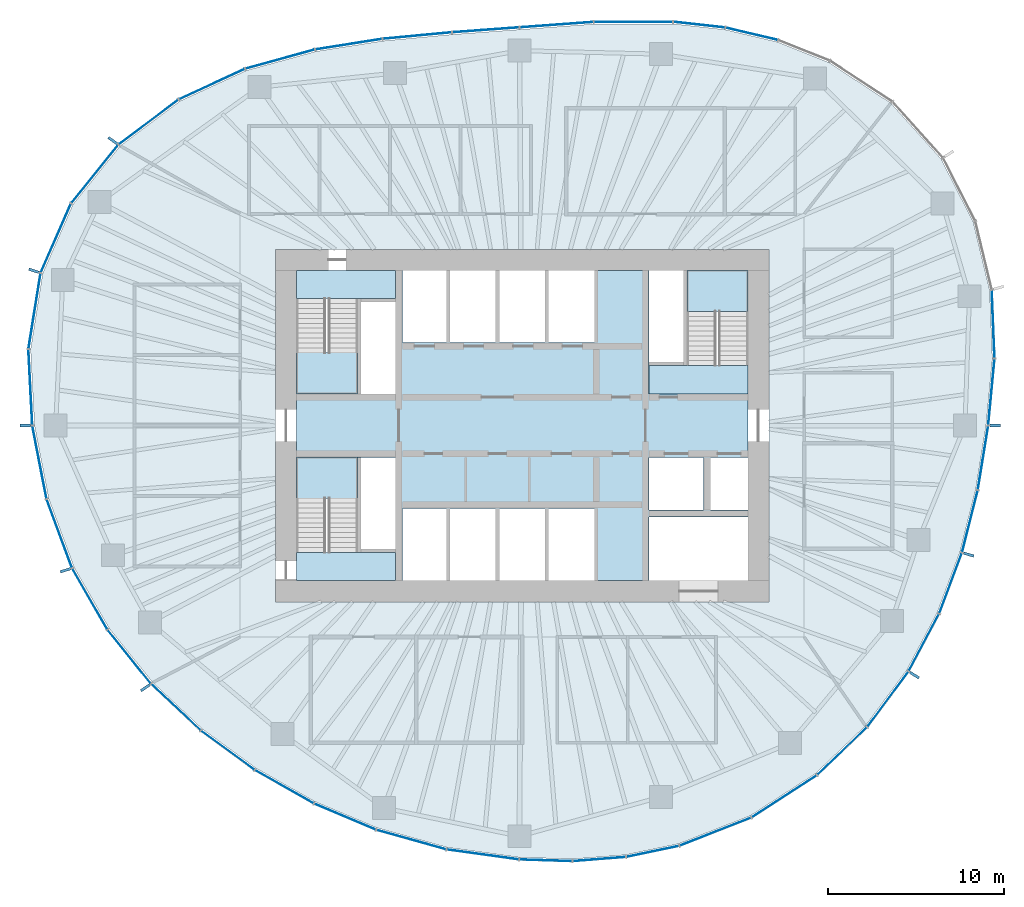
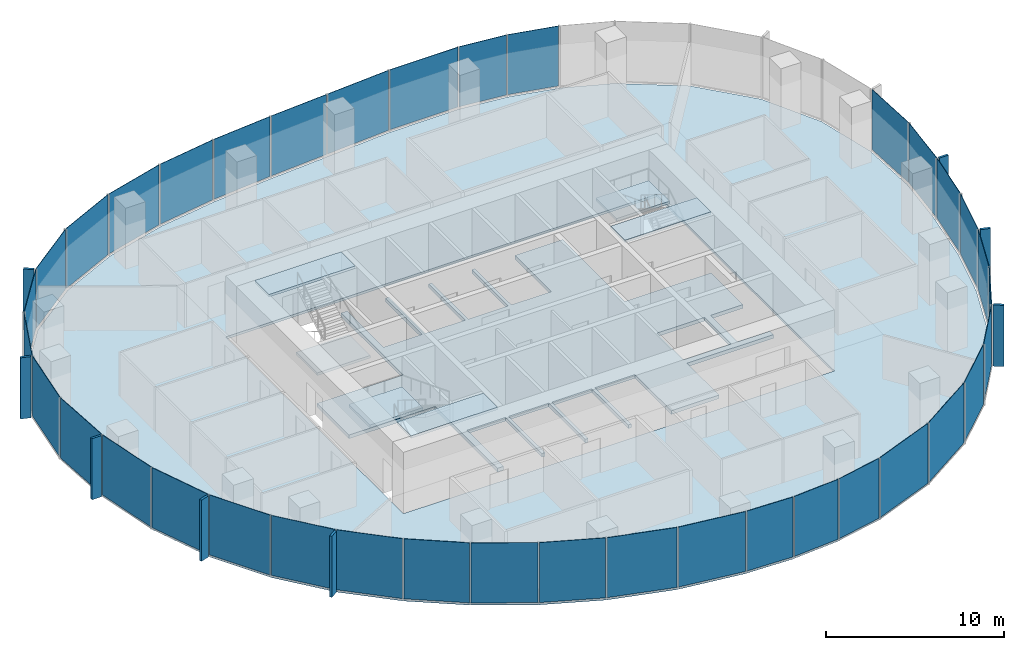
# One storey, part 7 of 12: 45 plates, 8 slabs, 21 elements without a shape of their own.
"""IFC4 building model written with IfcOpenShell, lengths in metres."""

from ifc_helpers import new_model, si_unit, direction, frame, origin, origin_2d, place, context, subcontext, project, spatial, polyline, rectangle, outline, extrude, material, layer, layer_set, type_object, element, aggregate, save


model = new_model("IFC4")

# Units and contexts
model_context = context("Model", 3, precision=1e-05, world=origin(), true_north=direction((0.0, 1.0)))
body_context = subcontext(model_context, "Body", "Model", "MODEL_VIEW")
ifc_project = project(units=[si_unit("LENGTHUNIT", "METRE"), si_unit("AREAUNIT", "SQUARE_METRE"), si_unit("VOLUMEUNIT", "CUBIC_METRE"), si_unit("PLANEANGLEUNIT", "RADIAN"), si_unit("MASSUNIT", "GRAM", prefix="KILO")], contexts=[model_context])

# Site, building, storey
site_placement = place(None, origin())
site = spatial("IfcSite", under=ifc_project, at=site_placement, CompositionType="ELEMENT")
building_placement = place(site_placement, origin())
building = spatial("IfcBuilding", under=site, at=building_placement, Name="Ghaith Harvest Tower", CompositionType="ELEMENT")
storey_placement = place(building_placement, frame((0.0, 0.0, 199.0)))
storey = spatial("IfcBuildingStorey", under=building, at=storey_placement, Name="L43", CompositionType="ELEMENT", Elevation=199.0)

# Curtain wall, plates
ifc_material_1 = material(Name="Black anodised aluminium and fritted glass", Category="aluminium")
curtain_wall_type = type_object("IfcCurtainWallType", Name="CW-H CURTAIN WALL", PredefinedType="NOTDEFINED", material=ifc_material_1)
curtain_wall_1_placement = place(storey_placement, origin())
curtain_wall_1 = element("IfcCurtainWall", 1, at=curtain_wall_1_placement, inside=storey, type_object=curtain_wall_type, Name="Curtain wall CW-H bay 01 L43", PredefinedType="NOTDEFINED")
ifc_material_2 = material(Name="Glass, dark solar-control fritted double glazed unit", Category="glass")
ifc_layer_1 = layer(ifc_material_2, 0.030029296875)
ifc_layer_set_1 = layer_set([ifc_layer_1], Name="CW-H VISION PANEL")
plate_type_1 = type_object("IfcPlateType", Name="CW-H VISION PANEL", PredefinedType="CURTAIN_PANEL", material=ifc_layer_set_1)
plate_1_placement = place(storey_placement, frame((26.624755859375, 1.89794921875, 0.079833984375), z_axis=(0.0, 0.0, 1.0), x_axis=(0.094301909937, 0.995543645343, 0.0)))
plate_1 = element("IfcPlate", 2, at=plate_1_placement, type_object=plate_type_1, Name="CW-H glass unit 1 bay 01 L43", PredefinedType="CURTAIN_PANEL", context=body_context, shape_type="SweptSolid", body=[
    extrude(rectangle(XDim=3.73291015625, YDim=0.030029296875, at=origin_2d()), origin(), (0.0, 0.0, 1.0), 4.1201171875),
])
plate_2_placement = place(storey_placement, frame((26.7255859375, 5.74853515625, 0.079833984375), z_axis=(0.0, 0.0, 1.0), x_axis=(-0.040462173218, 0.999181070947, 0.0)))
plate_2 = element("IfcPlate", 3, at=plate_2_placement, type_object=plate_type_1, Name="CW-H glass unit 2 bay 01 L43", PredefinedType="CURTAIN_PANEL", context=body_context, shape_type="SweptSolid", body=[
    extrude(rectangle(XDim=3.82861328125, YDim=0.030029296875, at=origin_2d()), origin(), (0.0, 0.0, 1.0), 4.1201171875),
])
aggregate(curtain_wall_1, [plate_1, plate_2])

curtain_wall_2_placement = place(storey_placement, origin())
curtain_wall_2 = element("IfcCurtainWall", 4, at=curtain_wall_2_placement, inside=storey, type_object=curtain_wall_type, Name="Curtain wall CW-H bay 04 L43", PredefinedType="NOTDEFINED")
plate_3_placement = place(storey_placement, frame((13.027099609375, 22.225341796875, 0.079833984375), z_axis=(0.0, 0.0, 1.0), x_axis=(-0.973266235028, 0.229679854916, 0.0)))
plate_3 = element("IfcPlate", 5, at=plate_3_placement, type_object=plate_type_1, Name="CW-H glass unit 2 bay 04 L43", PredefinedType="CURTAIN_PANEL", context=body_context, shape_type="SweptSolid", body=[
    extrude(rectangle(XDim=3.00244140625, YDim=0.030029296875, at=origin_2d()), origin(), (0.0, 0.0, 1.0), 4.1201171875),
])
plate_4_placement = place(storey_placement, frame((10.045654296875, 22.744384765625, 0.079833984375), z_axis=(0.0, 0.0, 1.0), x_axis=(-0.993865217442, 0.11059805405, 0.0)))
plate_4 = element("IfcPlate", 6, at=plate_4_placement, type_object=plate_type_1, Name="CW-H glass unit 3 bay 04 L43", PredefinedType="CURTAIN_PANEL", context=body_context, shape_type="SweptSolid", body=[
    extrude(rectangle(XDim=2.901123046875, YDim=0.030029296875, at=origin_2d()), origin(), (0.0, 0.0, 1.0), 4.1201171875),
])
aggregate(curtain_wall_2, [plate_3, plate_4])

curtain_wall_3_placement = place(storey_placement, origin())
curtain_wall_3 = element("IfcCurtainWall", 7, at=curtain_wall_3_placement, inside=storey, type_object=curtain_wall_type, Name="Curtain wall CW-H bay 05 L43", PredefinedType="NOTDEFINED")
plate_5_placement = place(storey_placement, frame((6.31201171875, 22.904296875, 0.079833984375), z_axis=(0.0, 0.0, 1.0), x_axis=(-0.999997643645, -0.002170876291, 0.0)))
plate_5 = element("IfcPlate", 8, at=plate_5_placement, type_object=plate_type_1, Name="CW-H glass unit 1 bay 05 L43", PredefinedType="CURTAIN_PANEL", context=body_context, shape_type="SweptSolid", body=[
    extrude(rectangle(XDim=4.4248046875, YDim=0.030029296875, at=origin_2d()), origin(), (0.0, 0.0, 1.0), 4.1201171875),
])
plate_6_placement = place(storey_placement, frame((1.952392578125, 22.744873046875, 0.079833984375), z_axis=(0.0, 0.0, 1.0), x_axis=(-0.997324570719, -0.073100619976, 0.0)))
plate_6 = element("IfcPlate", 9, at=plate_6_placement, type_object=plate_type_1, Name="CW-H glass unit 2 bay 05 L43", PredefinedType="CURTAIN_PANEL", context=body_context, shape_type="SweptSolid", body=[
    extrude(rectangle(XDim=4.1455078125, YDim=0.030029296875, at=origin_2d()), origin(), (0.0, 0.0, 1.0), 4.1201171875),
])
aggregate(curtain_wall_3, [plate_5, plate_6])

curtain_wall_4_placement = place(storey_placement, origin())
curtain_wall_4 = element("IfcCurtainWall", 10, at=curtain_wall_4_placement, inside=storey, type_object=curtain_wall_type, Name="Curtain wall CW-H bay 06 L43", PredefinedType="NOTDEFINED")
plate_7_placement = place(storey_placement, frame((-2.0693359375, 22.450439453125, 0.079833984375), z_axis=(0.0, 0.0, 1.0), x_axis=(-0.997334393671, -0.072966479985, 0.0)))
plate_7 = element("IfcPlate", 11, at=plate_7_placement, type_object=plate_type_1, Name="CW-H glass unit 1 bay 06 L43", PredefinedType="CURTAIN_PANEL", context=body_context, shape_type="SweptSolid", body=[
    extrude(rectangle(XDim=3.759765625, YDim=0.030029296875, at=origin_2d()), origin(), (0.0, 0.0, 1.0), 4.1201171875),
])
plate_8_placement = place(storey_placement, frame((-5.954345703125, 22.12548828125, 0.079833984375), z_axis=(0.0, 0.0, 1.0), x_axis=(-0.995631991968, -0.093364535934, 0.0)))
plate_8 = element("IfcPlate", 12, at=plate_8_placement, type_object=plate_type_1, Name="CW-H glass unit 2 bay 06 L43", PredefinedType="CURTAIN_PANEL", context=body_context, shape_type="SweptSolid", body=[
    extrude(rectangle(XDim=3.87744140625, YDim=0.030029296875, at=origin_2d()), origin(), (0.0, 0.0, 1.0), 4.1201171875),
])
aggregate(curtain_wall_4, [plate_7, plate_8])

curtain_wall_5_placement = place(storey_placement, origin())
curtain_wall_5 = element("IfcCurtainWall", 13, at=curtain_wall_5_placement, inside=storey, type_object=curtain_wall_type, Name="Curtain wall CW-H bay 07 L43", PredefinedType="NOTDEFINED")
plate_9_placement = place(storey_placement, frame((-9.83837890625, 21.638671875, 0.079833984375), z_axis=(0.0, 0.0, 1.0), x_axis=(-0.98777033338, -0.155915901993, 0.0)))
plate_9 = element("IfcPlate", 14, at=plate_9_placement, type_object=plate_type_1, Name="CW-H glass unit 1 bay 07 L43", PredefinedType="CURTAIN_PANEL", context=body_context, shape_type="SweptSolid", body=[
    extrude(rectangle(XDim=3.795166015625, YDim=0.030029296875, at=origin_2d()), origin(), (0.0, 0.0, 1.0), 4.1201171875),
])
plate_10_placement = place(storey_placement, frame((-13.736572265625, 20.78955078125, 0.079833984375), z_axis=(0.0, 0.0, 1.0), x_axis=(-0.964034113875, -0.26577853052, 0.0)))
plate_10 = element("IfcPlate", 15, at=plate_10_placement, type_object=plate_type_1, Name="CW-H glass unit 2 bay 07 L43", PredefinedType="CURTAIN_PANEL", context=body_context, shape_type="SweptSolid", body=[
    extrude(rectangle(XDim=4.03662109375, YDim=0.030029296875, at=origin_2d()), origin(), (0.0, 0.0, 1.0), 4.1201171875),
])
aggregate(curtain_wall_5, [plate_9, plate_10])

curtain_wall_6_placement = place(storey_placement, origin())
curtain_wall_6 = element("IfcCurtainWall", 16, at=curtain_wall_6_placement, inside=storey, type_object=curtain_wall_type, Name="Curtain wall CW-H bay 08 L43", PredefinedType="NOTDEFINED")
plate_11_placement = place(storey_placement, frame((-17.608154296875, 19.370849609375, 0.079833984375), z_axis=(0.0, 0.0, 1.0), x_axis=(-0.907814470414, -0.419372015408, 0.0)))
plate_11 = element("IfcPlate", 17, at=plate_11_placement, type_object=plate_type_1, Name="CW-H glass unit 1 bay 08 L43", PredefinedType="CURTAIN_PANEL", context=body_context, shape_type="SweptSolid", body=[
    extrude(rectangle(XDim=4.077392578125, YDim=0.030029296875, at=origin_2d()), origin(), (0.0, 0.0, 1.0), 4.1201171875),
])
plate_12_placement = place(storey_placement, frame((-21.20166015625, 17.219482421875, 0.079833984375), z_axis=(0.0, 0.0, 1.0), x_axis=(-0.800067053187, -0.599910585341, 0.0)))
plate_12 = element("IfcPlate", 18, at=plate_12_placement, type_object=plate_type_1, Name="CW-H glass unit 2 bay 08 L43", PredefinedType="CURTAIN_PANEL", context=body_context, shape_type="SweptSolid", body=[
    extrude(rectangle(XDim=4.18603515625, YDim=0.030029296875, at=origin_2d()), origin(), (0.0, 0.0, 1.0), 4.1201171875),
])
aggregate(curtain_wall_6, [plate_11, plate_12])

curtain_wall_7_placement = place(storey_placement, origin())
curtain_wall_7 = element("IfcCurtainWall", 19, at=curtain_wall_7_placement, inside=storey, type_object=curtain_wall_type, Name="Curtain wall CW-H bay 09 L43", PredefinedType="NOTDEFINED")
plate_13_placement = place(storey_placement, frame((-24.25390625, 14.270263671875, 0.079833984375), z_axis=(0.0, 0.0, 1.0), x_axis=(-0.627547637499, -0.778578167347, 0.0)))
plate_13 = element("IfcPlate", 20, at=plate_13_placement, type_object=plate_type_1, Name="CW-H glass unit 1 bay 09 L43", PredefinedType="CURTAIN_PANEL", context=body_context, shape_type="SweptSolid", body=[
    extrude(rectangle(XDim=4.208740234375, YDim=0.030029296875, at=origin_2d()), origin(), (0.0, 0.0, 1.0), 4.1201171875),
])
plate_14_placement = place(storey_placement, frame((-26.462646484375, 10.63037109375, 0.079833984375), z_axis=(0.0, 0.0, 1.0), x_axis=(-0.40121291108, -0.915984825192, 0.0)))
plate_14 = element("IfcPlate", 21, at=plate_14_placement, type_object=plate_type_1, Name="CW-H glass unit 2 bay 09 L43", PredefinedType="CURTAIN_PANEL", context=body_context, shape_type="SweptSolid", body=[
    extrude(rectangle(XDim=4.22216796875, YDim=0.030029296875, at=origin_2d()), origin(), (0.0, 0.0, 1.0), 4.1201171875),
])
aggregate(curtain_wall_7, [plate_13, plate_14])

curtain_wall_8_placement = place(storey_placement, origin())
curtain_wall_8 = element("IfcCurtainWall", 22, at=curtain_wall_8_placement, inside=storey, type_object=curtain_wall_type, Name="Curtain wall CW-H bay 10 L43", PredefinedType="NOTDEFINED")
plate_15_placement = place(storey_placement, frame((-27.670654296875, 6.49658203125, 0.079833984375), z_axis=(0.0, 0.0, 1.0), x_axis=(-0.157514341695, -0.987516699687, 0.0)))
plate_15 = element("IfcPlate", 23, at=plate_15_placement, type_object=plate_type_1, Name="CW-H glass unit 1 bay 10 L43", PredefinedType="CURTAIN_PANEL", context=body_context, shape_type="SweptSolid", body=[
    extrude(rectangle(XDim=4.301513671875, YDim=0.030029296875, at=origin_2d()), origin(), (0.0, 0.0, 1.0), 4.1201171875),
])
plate_16_placement = place(storey_placement, frame((-27.905517578125, 2.16650390625, 0.079833984375), z_axis=(0.0, 0.0, 1.0), x_axis=(0.050894857592, -0.998704016949, 0.0)))
plate_16 = element("IfcPlate", 24, at=plate_16_placement, type_object=plate_type_1, Name="CW-H glass unit 2 bay 10 L43", PredefinedType="CURTAIN_PANEL", context=body_context, shape_type="SweptSolid", body=[
    extrude(rectangle(XDim=4.2587890625, YDim=0.030029296875, at=origin_2d()), origin(), (0.0, 0.0, 1.0), 4.1201171875),
])
aggregate(curtain_wall_8, [plate_15, plate_16])

curtain_wall_9_placement = place(storey_placement, origin())
curtain_wall_9 = element("IfcCurtainWall", 25, at=curtain_wall_9_placement, inside=storey, type_object=curtain_wall_type, Name="Curtain wall CW-H bay 11 L43", PredefinedType="NOTDEFINED")
plate_17_placement = place(storey_placement, frame((-27.39013671875, -2.0869140625, 0.079833984375), z_axis=(0.0, 0.0, 1.0), x_axis=(0.190426809322, -0.981701395686, 0.0)))
plate_17 = element("IfcPlate", 26, at=plate_17_placement, type_object=plate_type_1, Name="CW-H glass unit 1 bay 11 L43", PredefinedType="CURTAIN_PANEL", context=body_context, shape_type="SweptSolid", body=[
    extrude(rectangle(XDim=4.171630859375, YDim=0.030029296875, at=origin_2d()), origin(), (0.0, 0.0, 1.0), 4.1201171875),
])
plate_18_placement = place(storey_placement, frame((-26.261962890625, -6.1337890625, 0.079833984375), z_axis=(0.0, 0.0, 1.0), x_axis=(0.346303431688, -0.938122557666, 0.0)))
plate_18 = element("IfcPlate", 27, at=plate_18_placement, type_object=plate_type_1, Name="CW-H glass unit 2 bay 11 L43", PredefinedType="CURTAIN_PANEL", context=body_context, shape_type="SweptSolid", body=[
    extrude(rectangle(XDim=4.098388671875, YDim=0.030029296875, at=origin_2d()), origin(), (0.0, 0.0, 1.0), 4.1201171875),
])
aggregate(curtain_wall_9, [plate_17, plate_18])

curtain_wall_10_placement = place(storey_placement, origin())
curtain_wall_10 = element("IfcCurtainWall", 28, at=curtain_wall_10_placement, inside=storey, type_object=curtain_wall_type, Name="Curtain wall CW-H bay 12 L43", PredefinedType="NOTDEFINED")
plate_19_placement = place(storey_placement, frame((-24.535888671875, -9.838623046875, 0.079833984375), z_axis=(0.0, 0.0, 1.0), x_axis=(0.49818018945, -0.867073525625, 0.0)))
plate_19 = element("IfcPlate", 29, at=plate_19_placement, type_object=plate_type_1, Name="CW-H glass unit 1 bay 12 L43", PredefinedType="CURTAIN_PANEL", context=body_context, shape_type="SweptSolid", body=[
    extrude(rectangle(XDim=3.945068359375, YDim=0.030029296875, at=origin_2d()), origin(), (0.0, 0.0, 1.0), 4.1201171875),
])
plate_20_placement = place(storey_placement, frame((-22.29736328125, -13.119140625, 0.079833984375), z_axis=(0.0, 0.0, 1.0), x_axis=(0.626957061695, -0.779053812513, 0.0)))
plate_20 = element("IfcPlate", 30, at=plate_20_placement, type_object=plate_type_1, Name="CW-H glass unit 2 bay 12 L43", PredefinedType="CURTAIN_PANEL", context=body_context, shape_type="SweptSolid", body=[
    extrude(rectangle(XDim=3.8623046875, YDim=0.030029296875, at=origin_2d()), origin(), (0.0, 0.0, 1.0), 4.1201171875),
])
aggregate(curtain_wall_10, [plate_19, plate_20])

curtain_wall_11_placement = place(storey_placement, origin())
curtain_wall_11 = element("IfcCurtainWall", 31, at=curtain_wall_11_placement, inside=storey, type_object=curtain_wall_type, Name="Curtain wall CW-H bay 13 L43", PredefinedType="NOTDEFINED")
plate_21_placement = place(storey_placement, frame((-19.649658203125, -15.98046875, 0.079833984375), z_axis=(0.0, 0.0, 1.0), x_axis=(0.729016864325, -0.684495735217, 0.0)))
plate_21 = element("IfcPlate", 32, at=plate_21_placement, type_object=plate_type_1, Name="CW-H glass unit 1 bay 13 L43", PredefinedType="CURTAIN_PANEL", context=body_context, shape_type="SweptSolid", body=[
    extrude(rectangle(XDim=3.793212890625, YDim=0.030029296875, at=origin_2d()), origin(), (0.0, 0.0, 1.0), 4.1201171875),
])
plate_22_placement = place(storey_placement, frame((-16.707763671875, -18.42431640625, 0.079833984375), z_axis=(0.0, 0.0, 1.0), x_axis=(0.80736351134, -0.590054370848, 0.0)))
plate_22 = element("IfcPlate", 33, at=plate_22_placement, type_object=plate_type_1, Name="CW-H glass unit 2 bay 13 L43", PredefinedType="CURTAIN_PANEL", context=body_context, shape_type="SweptSolid", body=[
    extrude(rectangle(XDim=3.710693359375, YDim=0.030029296875, at=origin_2d()), origin(), (0.0, 0.0, 1.0), 4.1201171875),
])
aggregate(curtain_wall_11, [plate_21, plate_22])

curtain_wall_12_placement = place(storey_placement, origin())
curtain_wall_12 = element("IfcCurtainWall", 34, at=curtain_wall_12_placement, inside=storey, type_object=curtain_wall_type, Name="Curtain wall CW-H bay 14 L43", PredefinedType="NOTDEFINED")
plate_23_placement = place(storey_placement, frame((-13.496337890625, -20.496826171875, 0.079833984375), z_axis=(0.0, 0.0, 1.0), x_axis=(0.869715300233, -0.493553742303, 0.0)))
plate_23 = element("IfcPlate", 35, at=plate_23_placement, type_object=plate_type_1, Name="CW-H glass unit 1 bay 14 L43", PredefinedType="CURTAIN_PANEL", context=body_context, shape_type="SweptSolid", body=[
    extrude(rectangle(XDim=3.785888671875, YDim=0.030029296875, at=origin_2d()), origin(), (0.0, 0.0, 1.0), 4.1201171875),
])
plate_24_placement = place(storey_placement, frame((-10.050537109375, -22.1962890625, 0.079833984375), z_axis=(0.0, 0.0, 1.0), x_axis=(0.921181516072, -0.389133157734, 0.0)))
plate_24 = element("IfcPlate", 36, at=plate_24_placement, type_object=plate_type_1, Name="CW-H glass unit 2 bay 14 L43", PredefinedType="CURTAIN_PANEL", context=body_context, shape_type="SweptSolid", body=[
    extrude(rectangle(XDim=3.751220703125, YDim=0.030029296875, at=origin_2d()), origin(), (0.0, 0.0, 1.0), 4.1201171875),
])
aggregate(curtain_wall_12, [plate_23, plate_24])

curtain_wall_13_placement = place(storey_placement, origin())
curtain_wall_13 = element("IfcCurtainWall", 37, at=curtain_wall_13_placement, inside=storey, type_object=curtain_wall_type, Name="Curtain wall CW-H bay 15 L43", PredefinedType="NOTDEFINED")
plate_25_placement = place(storey_placement, frame((-6.291015625, -23.49853515625, 0.079833984375), z_axis=(0.0, 0.0, 1.0), x_axis=(0.963162861349, -0.268918765647, 0.0)))
plate_25 = element("IfcPlate", 38, at=plate_25_placement, type_object=plate_type_1, Name="CW-H glass unit 1 bay 15 L43", PredefinedType="CURTAIN_PANEL", context=body_context, shape_type="SweptSolid", body=[
    extrude(rectangle(XDim=4.062744140625, YDim=0.030029296875, at=origin_2d()), origin(), (0.0, 0.0, 1.0), 4.1201171875),
])
plate_26_placement = place(storey_placement, frame((-2.232177734375, -24.34033203125, 0.079833984375), z_axis=(0.0, 0.0, 1.0), x_axis=(0.990612268407, -0.136701622823, 0.0)))
plate_26 = element("IfcPlate", 39, at=plate_26_placement, type_object=plate_type_1, Name="CW-H glass unit 2 bay 15 L43", PredefinedType="CURTAIN_PANEL", context=body_context, shape_type="SweptSolid", body=[
    extrude(rectangle(XDim=4.08642578125, YDim=0.030029296875, at=origin_2d()), origin(), (0.0, 0.0, 1.0), 4.1201171875),
])
aggregate(curtain_wall_13, [plate_25, plate_26])

curtain_wall_14_placement = place(storey_placement, origin())
curtain_wall_14 = element("IfcCurtainWall", 40, at=curtain_wall_14_placement, inside=storey, type_object=curtain_wall_type, Name="Curtain wall CW-H bay 16 L43", PredefinedType="NOTDEFINED")
plate_27_placement = place(storey_placement, frame((1.339599609375, -24.67333984375, 0.079833984375), z_axis=(0.0, 0.0, 1.0), x_axis=(0.99949125523, -0.031894054587, 0.0)))
plate_27 = element("IfcPlate", 41, at=plate_27_placement, type_object=plate_type_1, Name="CW-H glass unit 1 bay 16 L43", PredefinedType="CURTAIN_PANEL", context=body_context, shape_type="SweptSolid", body=[
    extrude(rectangle(XDim=2.937744140625, YDim=0.030029296875, at=origin_2d()), origin(), (0.0, 0.0, 1.0), 4.1201171875),
])
plate_28_placement = place(storey_placement, frame((4.37060546875, -24.60205078125, 0.079833984375), z_axis=(0.0, 0.0, 1.0), x_axis=(0.996945418782, 0.078101421048, 0.0)))
plate_28 = element("IfcPlate", 42, at=plate_28_placement, type_object=plate_type_1, Name="CW-H glass unit 2 bay 16 L43", PredefinedType="CURTAIN_PANEL", context=body_context, shape_type="SweptSolid", body=[
    extrude(rectangle(XDim=2.974853515625, YDim=0.030029296875, at=origin_2d()), origin(), (0.0, 0.0, 1.0), 4.1201171875),
])
plate_29_placement = place(storey_placement, frame((7.40478515625, -24.16650390625, 0.079833984375), z_axis=(0.0, 0.0, 1.0), x_axis=(0.978788872874, 0.204871526422, 0.0)))
plate_29 = element("IfcPlate", 43, at=plate_29_placement, type_object=plate_type_1, Name="CW-H glass unit 3 bay 16 L43", PredefinedType="CURTAIN_PANEL", context=body_context, shape_type="SweptSolid", body=[
    extrude(rectangle(XDim=3.00830078125, YDim=0.030029296875, at=origin_2d()), origin(), (0.0, 0.0, 1.0), 4.1201171875),
])
aggregate(curtain_wall_14, [plate_27, plate_28, plate_29])

curtain_wall_15_placement = place(storey_placement, origin())
curtain_wall_15 = element("IfcCurtainWall", 44, at=curtain_wall_15_placement, inside=storey, type_object=curtain_wall_type, Name="Curtain wall CW-H bay 17 L43", PredefinedType="NOTDEFINED")
plate_30_placement = place(storey_placement, frame((10.963134765625, -23.048583984375, 0.079833984375), z_axis=(0.0, 0.0, 1.0), x_axis=(0.931161161765, 0.364607858966, 0.0)))
plate_30 = element("IfcPlate", 45, at=plate_30_placement, type_object=plate_type_1, Name="CW-H glass unit 1 bay 17 L43", PredefinedType="CURTAIN_PANEL", context=body_context, shape_type="SweptSolid", body=[
    extrude(rectangle(XDim=4.316650390625, YDim=0.030029296875, at=origin_2d()), origin(), (0.0, 0.0, 1.0), 4.1201171875),
])
plate_31_placement = place(storey_placement, frame((14.869384765625, -21.042724609375, 0.079833984375), z_axis=(0.0, 0.0, 1.0), x_axis=(0.839305300126, 0.543660384045, 0.0)))
plate_31 = element("IfcPlate", 46, at=plate_31_placement, type_object=plate_type_1, Name="CW-H glass unit 2 bay 17 L43", PredefinedType="CURTAIN_PANEL", context=body_context, shape_type="SweptSolid", body=[
    extrude(rectangle(XDim=4.35107421875, YDim=0.030029296875, at=origin_2d()), origin(), (0.0, 0.0, 1.0), 4.1201171875),
])
aggregate(curtain_wall_15, [plate_30, plate_31])

curtain_wall_16_placement = place(storey_placement, origin())
curtain_wall_16 = element("IfcCurtainWall", 47, at=curtain_wall_16_placement, inside=storey, type_object=curtain_wall_type, Name="Curtain wall CW-H bay 18 L43", PredefinedType="NOTDEFINED")
plate_32_placement = place(storey_placement, frame((18.151611328125, -18.47705078125, 0.079833984375), z_axis=(0.0, 0.0, 1.0), x_axis=(0.722532585058, 0.691336866896, 0.0)))
plate_32 = element("IfcPlate", 48, at=plate_32_placement, type_object=plate_type_1, Name="CW-H glass unit 1 bay 18 L43", PredefinedType="CURTAIN_PANEL", context=body_context, shape_type="SweptSolid", body=[
    extrude(rectangle(XDim=3.85791015625, YDim=0.030029296875, at=origin_2d()), origin(), (0.0, 0.0, 1.0), 4.1201171875),
])
plate_33_placement = place(storey_placement, frame((20.74853515625, -15.53369140625, 0.079833984375), z_axis=(0.0, 0.0, 1.0), x_axis=(0.596018639888, 0.802970597784, 0.0)))
plate_33 = element("IfcPlate", 49, at=plate_33_placement, type_object=plate_type_1, Name="CW-H glass unit 2 bay 18 L43", PredefinedType="CURTAIN_PANEL", context=body_context, shape_type="SweptSolid", body=[
    extrude(rectangle(XDim=3.8603515625, YDim=0.030029296875, at=origin_2d()), origin(), (0.0, 0.0, 1.0), 4.1201171875),
])
aggregate(curtain_wall_16, [plate_32, plate_33])

curtain_wall_17_placement = place(storey_placement, origin())
curtain_wall_17 = element("IfcCurtainWall", 50, at=curtain_wall_17_placement, inside=storey, type_object=curtain_wall_type, Name="Curtain wall CW-H bay 19 L43", PredefinedType="NOTDEFINED")
plate_34_placement = place(storey_placement, frame((22.79052734375, -12.316162109375, 0.079833984375), z_axis=(0.0, 0.0, 1.0), x_axis=(0.46864379564, 0.883387226989, 0.0)))
plate_34 = element("IfcPlate", 51, at=plate_34_placement, type_object=plate_type_1, Name="CW-H glass unit 1 bay 19 L43", PredefinedType="CURTAIN_PANEL", context=body_context, shape_type="SweptSolid", body=[
    extrude(rectangle(XDim=3.623291015625, YDim=0.030029296875, at=origin_2d()), origin(), (0.0, 0.0, 1.0), 4.1201171875),
])
plate_35_placement = place(storey_placement, frame((24.30712890625, -8.946533203125, 0.079833984375), z_axis=(0.0, 0.0, 1.0), x_axis=(0.350480749824, 0.936569935457, 0.0)))
plate_35 = element("IfcPlate", 52, at=plate_35_placement, type_object=plate_type_1, Name="CW-H glass unit 2 bay 19 L43", PredefinedType="CURTAIN_PANEL", context=body_context, shape_type="SweptSolid", body=[
    extrude(rectangle(XDim=3.62255859375, YDim=0.030029296875, at=origin_2d()), origin(), (0.0, 0.0, 1.0), 4.1201171875),
])
aggregate(curtain_wall_17, [plate_34, plate_35])

curtain_wall_18_placement = place(storey_placement, origin())
curtain_wall_18 = element("IfcCurtainWall", 53, at=curtain_wall_18_placement, inside=storey, type_object=curtain_wall_type, Name="Curtain wall CW-H bay 20 L43", PredefinedType="NOTDEFINED")
plate_36_placement = place(storey_placement, frame((25.404541015625, -5.43701171875, 0.079833984375), z_axis=(0.0, 0.0, 1.0), x_axis=(0.244925945134, 0.969541789404, 0.0)))
plate_36 = element("IfcPlate", 54, at=plate_36_placement, type_object=plate_type_1, Name="CW-H glass unit 1 bay 20 L43", PredefinedType="CURTAIN_PANEL", context=body_context, shape_type="SweptSolid", body=[
    extrude(rectangle(XDim=3.583251953125, YDim=0.030029296875, at=origin_2d()), origin(), (0.0, 0.0, 1.0), 4.1201171875),
])
plate_37_placement = place(storey_placement, frame((26.14892578125, -1.83056640625, 0.079833984375), z_axis=(0.0, 0.0, 1.0), x_axis=(0.159600748097, 0.987181645497, 0.0)))
plate_37 = element("IfcPlate", 55, at=plate_37_placement, type_object=plate_type_1, Name="CW-H glass unit 2 bay 20 L43", PredefinedType="CURTAIN_PANEL", context=body_context, shape_type="SweptSolid", body=[
    extrude(rectangle(XDim=3.628662109375, YDim=0.030029296875, at=origin_2d()), origin(), (0.0, 0.0, 1.0), 4.1201171875),
])
aggregate(curtain_wall_18, [plate_36, plate_37])

# Slabs
ifc_material_3 = material(Name="Concrete C40/50", Category="concrete")
ifc_layer_2 = layer(ifc_material_3, 0.169921875)
ifc_layer_set_2 = layer_set([ifc_layer_2], Name="FLOOR SLAB 170")
slab_type_1 = type_object("IfcSlabType", Name="FLOOR SLAB 170", PredefinedType="FLOOR", material=ifc_layer_set_2)
slab_1_placement = place(storey_placement, frame((0.0, 0.0, -0.169921875)))
element("IfcSlab", 56, at=slab_1_placement, inside=storey, type_object=slab_type_1, Name="Floor slab L43", PredefinedType="FLOOR", context=body_context, shape_type="SweptSolid", body=[
    extrude(outline(polyline([(26.324951171875, 0.0), (26.685791015625, 3.779052734375), (26.531005859375, 7.668212890625), (25.597900390625, 11.55615234375), (23.77294921875, 15.12939453125), (20.923095703125, 18.295166015625), (17.382080078125, 20.612548828125), (14.460693359375, 21.771484375), (11.47265625, 22.47265625), (8.522216796875, 22.796875), (4.03857421875, 22.78125), (-0.15380859375, 22.470458984375), (-3.963134765625, 22.192138671875), (-7.8837890625, 21.827880859375), (-11.694580078125, 21.2314453125), (-15.6474609375, 20.147705078125), (-19.408203125, 18.41650390625), (-22.809814453125, 15.87109375), (-25.491943359375, 12.547607421875), (-27.211181640625, 8.623779296875), (-27.897216796875, 4.314697265625), (-27.675048828125, 0.0), (-26.86669921875, -4.155517578125), (-25.424072265625, -8.057373046875), (-23.425537109375, -11.530517578125), (-20.963134765625, -14.586181640625), (-18.15087890625, -17.223388671875), (-15.10400390625, -19.447998046875), (-11.75732421875, -21.345703125), (-8.2451171875, -22.82861328125), (-4.27490234375, -23.9375), (-0.167724609375, -24.505126953125), (2.833984375, -24.602294921875), (5.865234375, -24.3662109375), (8.8740234375, -23.73779296875), (12.949462890625, -22.1435546875), (16.651611328125, -19.746337890625), (19.48388671875, -17.036865234375), (21.821533203125, -13.887451171875), (23.548828125, -10.631103515625), (24.840576171875, -7.179443359375), (25.734375, -3.644287109375), (26.324951171875, 0.0)]), holes=[polyline([(-14.0, -10.0), (14.0, -10.0), (14.0, 10.0), (-14.0, 10.0), (-14.0, -10.0)])]), origin(), (0.0, 0.0, 1.0), 0.169921875),
])
ifc_material_4 = material(Name="Concrete C40/50", Category="concrete")
ifc_layer_3 = layer(ifc_material_4, 0.25)
ifc_layer_set_3 = layer_set([ifc_layer_3], Name="FLOOR SLAB 250")
slab_type_2 = type_object("IfcSlabType", Name="FLOOR SLAB 250", PredefinedType="FLOOR", material=ifc_layer_set_3)
slab_2_placement = place(storey_placement, frame((0.0, 0.0, -0.25)))
element("IfcSlab", 57, at=slab_2_placement, inside=storey, type_object=slab_type_2, Name="Core slab L43", PredefinedType="FLOOR", context=body_context, shape_type="SweptSolid", body=[
    extrude(outline(polyline([(-12.800048828125, 1.800048828125), (-7.199951171875, 1.800048828125), (-7.199951171875, 8.800048828125), (-6.800048828125, 8.800048828125), (-6.800048828125, 4.699951171875), (-4.300048828125, 4.699951171875), (-4.300048828125, 8.800048828125), (-4.10009765625, 8.800048828125), (-4.10009765625, 4.699951171875), (-1.5, 4.699951171875), (-1.5, 8.800048828125), (-1.300048828125, 8.800048828125), (-1.300048828125, 4.699951171875), (1.300048828125, 4.699951171875), (1.300048828125, 8.800048828125), (1.5, 8.800048828125), (1.5, 4.699951171875), (4.10009765625, 4.699951171875), (4.10009765625, 8.800048828125), (7.199951171875, 8.800048828125), (7.199951171875, 1.800048828125), (12.800048828125, 1.800048828125), (12.800048828125, -1.800048828125), (10.699951171875, -1.800048828125), (10.699951171875, -4.800048828125), (12.800048828125, -4.800048828125), (12.800048828125, -5.199951171875), (7.199951171875, -5.199951171875), (7.199951171875, -8.800048828125), (4.10009765625, -8.800048828125), (4.10009765625, -4.699951171875), (1.5, -4.699951171875), (1.5, -8.800048828125), (1.300048828125, -8.800048828125), (1.300048828125, -4.699951171875), (-1.300048828125, -4.699951171875), (-1.300048828125, -8.800048828125), (-1.5, -8.800048828125), (-1.5, -4.699951171875), (-4.10009765625, -4.699951171875), (-4.10009765625, -8.800048828125), (-4.300048828125, -8.800048828125), (-4.300048828125, -4.699951171875), (-6.800048828125, -4.699951171875), (-6.800048828125, -8.800048828125), (-7.199951171875, -8.800048828125), (-7.199951171875, -1.800048828125), (-12.800048828125, -1.800048828125), (-12.800048828125, 1.800048828125)]), holes=[polyline([(10.300048828125, -4.800048828125), (10.300048828125, -1.800048828125), (7.199951171875, -1.800048828125), (7.199951171875, -4.800048828125), (10.300048828125, -4.800048828125)])]), origin(), (0.0, 0.0, 1.0), 0.25),
])

# Stair, slabs
ifc_material_5 = material(Name="Concrete C40/50, precast", Category="concrete")
stair_type = type_object("IfcStairType", Name="CORE STAIR 24R", PredefinedType="HALF_TURN_STAIR", material=ifc_material_5)
stair_1_placement = place(storey_placement, origin())
stair_1 = element("IfcStair", 58, at=stair_1_placement, inside=storey, type_object=stair_type, Name="Stair ST1 L43", PredefinedType="HALF_TURN_STAIR")
ifc_material_6 = material(Name="Concrete C40/50, precast", Category="concrete")
ifc_layer_4 = layer(ifc_material_6, 0.179931640625)
ifc_layer_set_4 = layer_set([ifc_layer_4], Name="STAIR LANDING 180")
slab_type_3 = type_object("IfcSlabType", Name="STAIR LANDING 180", PredefinedType="LANDING", material=ifc_layer_set_4)
slab_3_placement = place(storey_placement, frame((0.0, 0.0, 1.919921875)))
slab_3 = element("IfcSlab", 59, at=slab_3_placement, type_object=slab_type_3, Name="ST1 landing 1", PredefinedType="LANDING", context=body_context, shape_type="SweptSolid", body=[
    extrude(outline(polyline([(-12.800048828125, 4.139892578125), (-12.800048828125, 1.77490234375), (-9.35009765625, 1.77490234375), (-9.35009765625, 4.139892578125), (-12.800048828125, 4.139892578125)])), origin(), (0.0, 0.0, 1.0), 0.18017578125),
])
slab_4_placement = place(storey_placement, frame((0.0, 0.0, 4.02001953125)))
slab_4 = element("IfcSlab", 60, at=slab_4_placement, type_object=slab_type_3, Name="ST1 landing 2", PredefinedType="LANDING", context=body_context, shape_type="SweptSolid", body=[
    extrude(outline(polyline([(-12.800048828125, 8.800048828125), (-12.800048828125, 7.199951171875), (-7.199951171875, 7.199951171875), (-7.199951171875, 8.800048828125), (-12.800048828125, 8.800048828125)])), origin(), (0.0, 0.0, 1.0), 0.179931640625),
])
aggregate(stair_1, [slab_3, slab_4])

stair_2_placement = place(storey_placement, origin())
stair_2 = element("IfcStair", 61, at=stair_2_placement, inside=storey, type_object=stair_type, Name="Stair ST3 L43", PredefinedType="HALF_TURN_STAIR")
slab_5_placement = place(storey_placement, frame((0.0, 0.0, 1.919921875)))
slab_5 = element("IfcSlab", 62, at=slab_5_placement, type_object=slab_type_3, Name="ST3 landing 1", PredefinedType="LANDING", context=body_context, shape_type="SweptSolid", body=[
    extrude(outline(polyline([(-12.800048828125, -4.139892578125), (-12.800048828125, -1.77490234375), (-9.35009765625, -1.77490234375), (-9.35009765625, -4.139892578125), (-12.800048828125, -4.139892578125)])), origin(), (0.0, 0.0, 1.0), 0.18017578125),
])
slab_6_placement = place(storey_placement, frame((0.0, 0.0, 4.02001953125)))
slab_6 = element("IfcSlab", 63, at=slab_6_placement, type_object=slab_type_3, Name="ST3 landing 2", PredefinedType="LANDING", context=body_context, shape_type="SweptSolid", body=[
    extrude(outline(polyline([(-12.800048828125, -8.800048828125), (-12.800048828125, -7.199951171875), (-7.199951171875, -7.199951171875), (-7.199951171875, -8.800048828125), (-12.800048828125, -8.800048828125)])), origin(), (0.0, 0.0, 1.0), 0.179931640625),
])
aggregate(stair_2, [slab_5, slab_6])

stair_3_placement = place(storey_placement, origin())
stair_3 = element("IfcStair", 64, at=stair_3_placement, inside=storey, type_object=stair_type, Name="Stair ST2 L43", PredefinedType="HALF_TURN_STAIR")
slab_7_placement = place(storey_placement, frame((0.0, 0.0, 1.919921875)))
slab_7 = element("IfcSlab", 65, at=slab_7_placement, type_object=slab_type_3, Name="ST2 landing 1", PredefinedType="LANDING", context=body_context, shape_type="SweptSolid", body=[
    extrude(outline(polyline([(12.800048828125, 6.4599609375), (12.800048828125, 8.800048828125), (9.35009765625, 8.800048828125), (9.35009765625, 6.4599609375), (12.800048828125, 6.4599609375)])), origin(), (0.0, 0.0, 1.0), 0.18017578125),
])
slab_8_placement = place(storey_placement, frame((0.0, 0.0, 4.02001953125)))
slab_8 = element("IfcSlab", 66, at=slab_8_placement, type_object=slab_type_3, Name="ST2 landing 2", PredefinedType="LANDING", context=body_context, shape_type="SweptSolid", body=[
    extrude(outline(polyline([(12.800048828125, 1.800048828125), (12.800048828125, 3.39990234375), (7.199951171875, 3.39990234375), (7.199951171875, 1.800048828125), (12.800048828125, 1.800048828125)])), origin(), (0.0, 0.0, 1.0), 0.179931640625),
])
aggregate(stair_3, [slab_7, slab_8])

# Plates
ifc_material_7 = material(Name="Glassfibre-reinforced concrete", Category="concrete")
ifc_layer_5 = layer(ifc_material_7, 0.14990234375)
ifc_layer_set_5 = layer_set([ifc_layer_5], Name="SUN-BREAKER FIN 600x150")
plate_type_2 = type_object("IfcPlateType", Name="SUN-BREAKER FIN 600x150", PredefinedType="USERDEFINED", material=ifc_layer_set_5)
for number, where, z_axis, x_axis, name in (
    (67, (26.844970703125, 0.0, 0.0), (0.0, 0.0, 1.0), (1.0, 0.0, 0.0), "Sun-breaker fin CW-H 1 bay 01 L43"),
    (68, (-23.236572265625, 16.168212890625, 0.0), (0.0, 0.0, 1.0), (-0.820845486523, 0.571150319316, 0.0), "Sun-breaker fin CW-H 1 bay 09 L43"),
    (69, (-27.70703125, 8.78076171875, 0.0), (0.0, 0.0, 1.0), (-0.953273219358, 0.302109531884, 0.0), "Sun-breaker fin CW-H 1 bay 10 L43"),
    (70, (-28.195068359375, 0.0, 0.0), (0.0, 0.0, 1.0), (-1.0, -4.19e-10, 0.0), "Sun-breaker fin CW-H 1 bay 11 L43"),
    (71, (-25.919677734375, -8.21435546875, 0.0), (0.0, 0.0, 1.0), (-0.953273219416, -0.302109531701, 0.0), "Sun-breaker fin CW-H 1 bay 12 L43"),
    (72, (-21.389892578125, -14.88330078125, 0.0), (0.0, 0.0, 1.0), (-0.820845486622, -0.571150319173, 0.0), "Sun-breaker fin CW-H 1 bay 13 L43"),
    (73, (22.26025390625, -14.16650390625, 0.0), (0.0, 0.0, 1.0), (0.84364397137, -0.536903016913, 0.0), "Sun-breaker fin CW-H 1 bay 19 L43"),
    (74, (25.340087890625, -7.32373046875, 0.0), (0.0, 0.0, 1.0), (0.960680349932, -0.277656739976, 0.0), "Sun-breaker fin CW-H 1 bay 20 L43"),
):
    element("IfcPlate", number, at=place(storey_placement, frame(where, z_axis=z_axis, x_axis=x_axis)), inside=storey, type_object=plate_type_2, Name=name, ObjectType="SUN-BREAKER FIN", PredefinedType="USERDEFINED", context=body_context, shape_type="SweptSolid", body=[
        extrude(rectangle(XDim=0.60009765625, YDim=0.14990234375, at=origin_2d()), origin(), (0.0, 0.0, 1.0), 4.199951171875),
    ])

save(model, "model.ifc")
